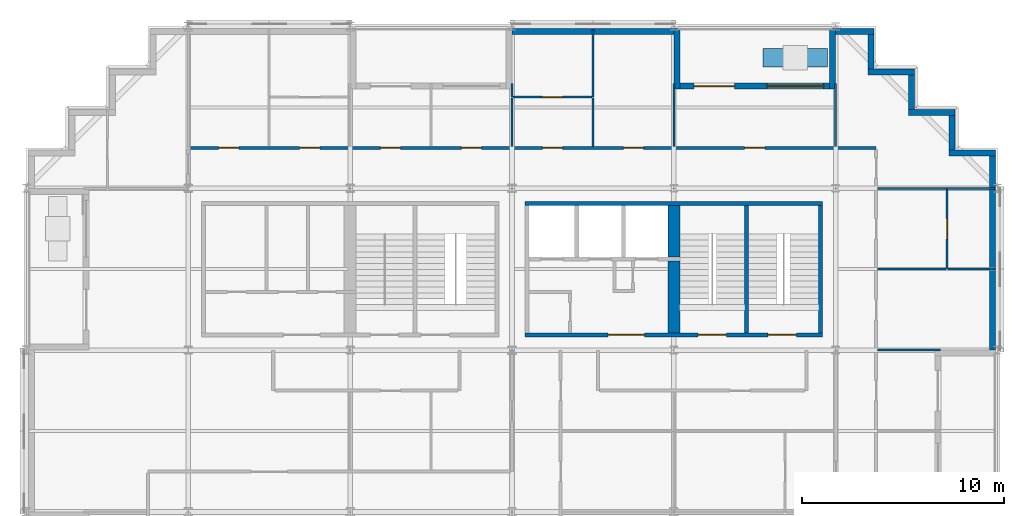
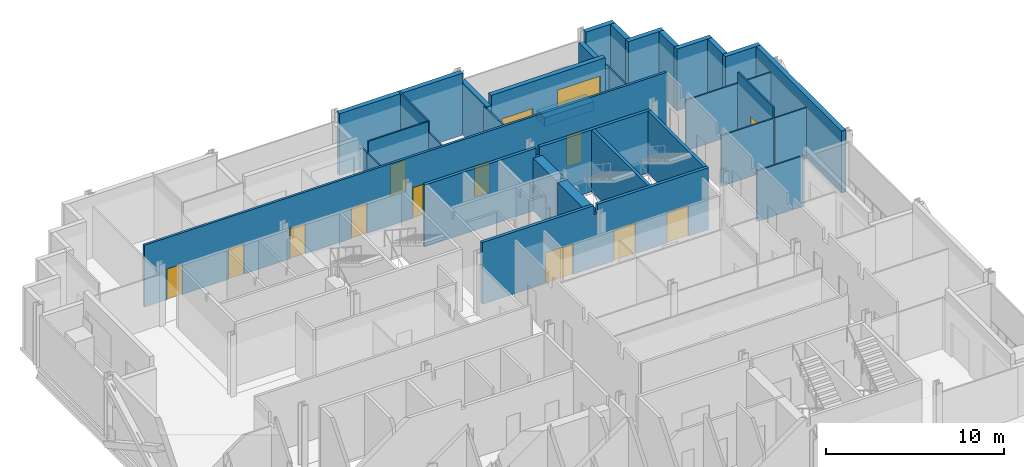
# One storey, part 11 of 15: 33 walls, 13 doors, 1 window, 14 openings.
"""IFC4 building model written with IfcOpenShell, lengths in metres."""

import ifcopenshell
import ifcopenshell.guid

model = None  # the IFC model being written
_history = None  # IfcOwnerHistory: only IFC2X3 demands one
_inside = {}  # id of a spatial element -> (the spatial element, [elements in it])
_under = {}  # id of a project, library or spatial element -> (it, [spatial elements below it])
_declared = {}  # id of a project -> (the project, [libraries it declares])
_typed = {}  # id of a type object -> (the type object, [elements of that type])
_made_of = {}  # id of a material, layer set ... -> (it, [elements and type objects made of it])


def new_model(schema):
    """Start an empty IFC model of exactly this schema.

    Asked for "IFC4X3", IfcOpenShell would pick the latest addendum, in which some entities
    have other attributes; the version numbers below select the first issue.
    IFC2X3 requires an IfcOwnerHistory on every rooted entity: one is made here for all.
    """
    global model, _history
    if schema == "IFC4X3":
        model = ifcopenshell.file(schema_version=(4, 3, 0, 0))
    else:
        model = ifcopenshell.file(schema=schema)
    _inside.clear()
    _under.clear()
    _declared.clear()
    _typed.clear()
    _made_of.clear()
    _history = None
    if model.schema == "IFC2X3":
        org = make("IfcOrganization", Name="unknown")
        user = make(
            "IfcPersonAndOrganization",
            ThePerson=make("IfcPerson", FamilyName="unknown"),
            TheOrganization=org,
        )
        app = make(
            "IfcApplication",
            ApplicationDeveloper=org,
            Version="unknown",
            ApplicationFullName="unknown",
            ApplicationIdentifier="unknown",
        )
        _history = make(
            "IfcOwnerHistory",
            OwningUser=user,
            OwningApplication=app,
            ChangeAction="ADDED",
            CreationDate=0,
        )
    return model


def make(cls, **values):
    """One entity of the class cls with the attributes given. An attribute that is None is left unset."""
    return model.create_entity(
        cls, **{name: value for name, value in values.items() if value is not None}
    )


def rooted(cls, **values):
    """An entity with a GlobalId (a new one), such as an element, a storey or a relation."""
    return make(cls, GlobalId=ifcopenshell.guid.new(), OwnerHistory=_history, **values)


def si_unit(unit_type, name, prefix=None):
    """IfcSIUnit, for example si_unit("LENGTHUNIT", "METRE", prefix="MILLI")."""
    return make("IfcSIUnit", UnitType=unit_type, Prefix=prefix, Name=name)


def assignment(units):
    """IfcUnitAssignment: the units of a project."""
    return None if units is None else make("IfcUnitAssignment", Units=units)


def point(xyz):
    """IfcCartesianPoint."""
    return None if xyz is None else make("IfcCartesianPoint", Coordinates=xyz)


def direction(xyz):
    """IfcDirection."""
    return None if xyz is None else make("IfcDirection", DirectionRatios=xyz)


def frame(location, z_axis=None, x_axis=None):
    """IfcAxis2Placement3D, a coordinate frame: its origin and axes. An axis left out is left unset."""
    return make(
        "IfcAxis2Placement3D",
        Location=point(location),
        Axis=direction(z_axis),
        RefDirection=direction(x_axis),
    )


def frame_2d(location, x_axis=None):
    """IfcAxis2Placement2D, a coordinate frame in the plane: its origin and x axis."""
    return make(
        "IfcAxis2Placement2D", Location=point(location), RefDirection=direction(x_axis)
    )


def origin():
    """The frame at (0, 0, 0) with its axes left unset."""
    return frame((0.0, 0.0, 0.0))


def place(relative_to, where):
    """IfcLocalPlacement: puts the frame where relative to a parent placement (None: the world)."""
    return make(
        "IfcLocalPlacement", PlacementRelTo=relative_to, RelativePlacement=where
    )


def context(
    kind, dimensions, precision=None, world=None, true_north=None, identifier=None
):
    """IfcGeometricRepresentationContext, for example the 3D "Model" context."""
    return make(
        "IfcGeometricRepresentationContext",
        ContextIdentifier=identifier,
        ContextType=kind,
        CoordinateSpaceDimension=dimensions,
        Precision=precision,
        WorldCoordinateSystem=world,
        TrueNorth=true_north,
    )


def subcontext(parent, identifier, kind, view, scale=None):
    """IfcGeometricRepresentationSubContext, for example "Body" below "Model"."""
    return make(
        "IfcGeometricRepresentationSubContext",
        ContextIdentifier=identifier,
        ContextType=kind,
        ParentContext=parent,
        TargetScale=scale,
        TargetView=view,
    )


def project(units=None, contexts=None):
    """IfcProject with its units and contexts."""
    return rooted(
        "IfcProject",
        Name="project",
        RepresentationContexts=contexts,
        UnitsInContext=assignment(units),
    )


def spatial(cls, under=None, at=None, **own):
    """A site, building, storey or space (cls), placed at a placement, below another one or the project."""
    s = rooted(cls, ObjectPlacement=at, **own)
    if under is not None:
        _under.setdefault(under.id(), (under, []))[1].append(s)
    return s


def polyline(points):
    """IfcPolyline through the points."""
    return make("IfcPolyline", Points=[point(p) for p in points])


def profile(cls, at=None, kind="AREA", **sizes):
    """A parametric profile (cls). Its sizes go by their IFC names, for example OverallWidth=200.0."""
    return make(cls, ProfileType=kind, Position=at, **sizes)


def rectangle(**sizes):
    """IfcRectangleProfileDef."""
    return profile("IfcRectangleProfileDef", **sizes)


def outline(outer, holes=None, kind="AREA"):
    """IfcArbitraryClosedProfileDef: a profile drawn as a closed curve; with holes, ...WithVoids."""
    if holes is None:
        return make("IfcArbitraryClosedProfileDef", ProfileType=kind, OuterCurve=outer)
    return make(
        "IfcArbitraryProfileDefWithVoids",
        ProfileType=kind,
        OuterCurve=outer,
        InnerCurves=holes,
    )


def extrude(swept, where, along, depth):
    """IfcExtrudedAreaSolid: the profile swept, set in the frame where, extruded along a direction by depth."""
    return make(
        "IfcExtrudedAreaSolid",
        SweptArea=swept,
        Position=where,
        ExtrudedDirection=direction(along),
        Depth=depth,
    )


def shape(context_of_items, identifier, shape_type, items):
    """IfcShapeRepresentation: the items that make up one representation, for example the "Body"."""
    return make(
        "IfcShapeRepresentation",
        ContextOfItems=context_of_items,
        RepresentationIdentifier=identifier,
        RepresentationType=shape_type,
        Items=items,
    )


def material(Name=None, Category=None):
    """IfcMaterial."""
    return make("IfcMaterial", Name=Name, Category=Category)


def layer(
    of_material, thickness, ventilated=None, Name=None, Category=None, Priority=None
):
    """IfcMaterialLayer: one layer of a wall or slab, of a material (None: an air gap)."""
    return make(
        "IfcMaterialLayer",
        Material=of_material,
        LayerThickness=thickness,
        IsVentilated=ventilated,
        Name=Name,
        Category=Category,
        Priority=Priority,
    )


def layer_set(layers, Name=None):
    """IfcMaterialLayerSet."""
    return make("IfcMaterialLayerSet", MaterialLayers=layers, LayerSetName=Name)


def made_of(thing, what):
    """Note that an element or type object is made of a material, layer set ...; save() writes the relation."""
    if what is not None:
        _made_of.setdefault(what.id(), (what, []))[1].append(thing)
    return thing


def type_object(cls, material=None, **own):
    """A type object (cls), such as IfcWallType, which elements share."""
    return made_of(rooted(cls, **own), material)


def element(
    cls,
    number,
    at=None,
    inside=None,
    cuts=None,
    type_object=None,
    material=None,
    context=None,
    identifier="Body",
    shape_type=None,
    held_by="IfcProductDefinitionShape",
    body=None,
    shapes=None,
    **own,
):
    """One element of the class cls, such as IfcWall. Its Tag is "e" and its number.

    at: its placement. inside: the storey or other place that contains it. cuts: it is an
    opening in that element (IfcRelVoidsElement). A single representation is given by context,
    identifier, shape_type and body (its items); several are given by shapes. held_by: the class
    of the entity that holds the representations. save() writes the other relations.
    """
    e = rooted(cls, Tag="e%d" % number, ObjectPlacement=at, **own)
    if body is not None:
        shapes = [shape(context, identifier, shape_type, body)]
    if shapes is not None:
        e.Representation = make(held_by, Representations=shapes)
    if inside is not None:
        _inside.setdefault(inside.id(), (inside, []))[1].append(e)
    if cuts is not None:
        rooted(
            "IfcRelVoidsElement", RelatingBuildingElement=cuts, RelatedOpeningElement=e
        )
    if type_object is not None:
        _typed.setdefault(type_object.id(), (type_object, []))[1].append(e)
    return made_of(e, material)


def fill(opening, filler):
    """IfcRelFillsElement: the door or window that sits in an opening."""
    return rooted(
        "IfcRelFillsElement",
        RelatingOpeningElement=opening,
        RelatedBuildingElement=filler,
    )


def aggregate(whole, parts):
    """IfcRelAggregates: a whole, such as a stair, and the parts it consists of."""
    return rooted("IfcRelAggregates", RelatingObject=whole, RelatedObjects=parts)


def save(model, path):
    """Write the relations noted so far, then the file.

    IfcRelAggregates (storeys below a building ...), IfcRelContainedInSpatialStructure (elements
    in a storey), IfcRelDefinesByType, IfcRelAssociatesMaterial and IfcRelDeclares: one each for
    every whole, place, type object, material and project.
    """
    for whole, parts in _under.values():
        aggregate(whole, parts)
    for where, things in _inside.values():
        rooted(
            "IfcRelContainedInSpatialStructure",
            RelatedElements=things,
            RelatingStructure=where,
        )
    for kind, things in _typed.values():
        rooted("IfcRelDefinesByType", RelatedObjects=things, RelatingType=kind)
    for what, things in _made_of.values():
        rooted("IfcRelAssociatesMaterial", RelatedObjects=things, RelatingMaterial=what)
    for by, libraries in _declared.values():
        rooted("IfcRelDeclares", RelatingContext=by, RelatedDefinitions=libraries)
    model.write(path)


model = new_model("IFC4")

# Units and contexts
model_context = context("Model", 3, precision=1e-05, world=origin(), true_north=direction((0.0, 1.0)))
body_context = subcontext(model_context, "Body", "Model", "MODEL_VIEW")
ifc_project = project(units=[si_unit("LENGTHUNIT", "METRE"), si_unit("AREAUNIT", "SQUARE_METRE"), si_unit("VOLUMEUNIT", "CUBIC_METRE"), si_unit("PLANEANGLEUNIT", "RADIAN"), si_unit("MASSUNIT", "GRAM", prefix="KILO")], contexts=[model_context])

# Site, building, storey
site_placement = place(None, origin())
site = spatial("IfcSite", under=ifc_project, at=site_placement, CompositionType="ELEMENT")
building_placement = place(site_placement, origin())
building = spatial("IfcBuilding", under=site, at=building_placement, Name="Immortelle Media Tower", CompositionType="ELEMENT")
storey_placement = place(building_placement, frame((0.0, 0.0, 65.60009765625)))
storey = spatial("IfcBuildingStorey", under=building, at=storey_placement, Name="L11", CompositionType="ELEMENT", Elevation=65.60009765625)

# Wall, openings, doors
ifc_material_1 = material(Name="Fire-rated gypsum board", Category="gypsum")
ifc_layer_1 = layer(ifc_material_1, 0.012451171875)
ifc_material_2 = material(Name="Steel ASTM A653 SS Gr 50 stud frame with mineral wool", Category="steel")
ifc_layer_2 = layer(ifc_material_2, 0.125)
ifc_layer_3 = layer(ifc_material_1, 0.012451171875)
ifc_layer_set_1 = layer_set([ifc_layer_1, ifc_layer_2, ifc_layer_3], Name="Steel ASTM A653 SS Gr 50 stud frame with mineral wool")
wall_type_1 = type_object("IfcWallType", Name="Corridor wall 150", PredefinedType="PARTITIONING", material=ifc_layer_set_1)
wall_1_placement = place(storey_placement, frame((8.050048828125, 42.0, 0.0), z_axis=(0.0, 0.0, 1.0), x_axis=(1.0, 0.0, 0.0)))
wall_1 = element("IfcWall", 1, at=wall_1_placement, inside=storey, type_object=wall_type_1, Name="Partition L11-055", PredefinedType="PARTITIONING", context=body_context, shape_type="SweptSolid", body=[
    extrude(rectangle(XDim=33.949951171875, YDim=0.14990234375, at=frame_2d((16.97509765625, 0.0))), origin(), (0.0, 0.0, 1.0), 4.25),
])
opening_1_placement = place(wall_1_placement, frame((9.449951171875, 0.0, 0.0)))
opening_1 = element("IfcOpeningElement", 2, at=opening_1_placement, cuts=wall_1, Name="Opening N3-F032", PredefinedType="OPENING", context=body_context, shape_type="SweptSolid", body=[
    extrude(rectangle(XDim=1.0, YDim=2.10009765625, at=frame_2d((0.5, 1.050048828125))), frame((0.0, 0.0849609375, 0.0), z_axis=(0.0, -1.0, 0.0), x_axis=(1.0, 0.0, 0.0)), (0.0, 0.0, 1.0), 0.169921875),
])
opening_2_placement = place(wall_1_placement, frame((13.449951171875, 0.0, 0.0)))
opening_2 = element("IfcOpeningElement", 3, at=opening_2_placement, cuts=wall_1, Name="Opening N3-F033", PredefinedType="OPENING", context=body_context, shape_type="SweptSolid", body=[
    extrude(rectangle(XDim=1.0, YDim=2.10009765625, at=frame_2d((0.5, 1.050048828125))), frame((0.0, 0.0849609375, 0.0), z_axis=(0.0, -1.0, 0.0), x_axis=(1.0, 0.0, 0.0)), (0.0, 0.0, 1.0), 0.169921875),
])
opening_3_placement = place(wall_1_placement, frame((27.449951171875, 0.0, 0.0)))
opening_3 = element("IfcOpeningElement", 4, at=opening_3_placement, cuts=wall_1, Name="Opening N3-F034", PredefinedType="OPENING", context=body_context, shape_type="SweptSolid", body=[
    extrude(rectangle(XDim=1.0, YDim=2.10009765625, at=frame_2d((0.5, 1.050048828125))), frame((0.0, 0.0849609375, 0.0), z_axis=(0.0, -1.0, 0.0), x_axis=(1.0, 0.0, 0.0)), (0.0, 0.0, 1.0), 0.169921875),
])
opening_4_placement = place(wall_1_placement, frame((1.449951171875, 0.0, 0.0)))
opening_4 = element("IfcOpeningElement", 5, at=opening_4_placement, cuts=wall_1, Name="Opening N3-F035", PredefinedType="OPENING", context=body_context, shape_type="SweptSolid", body=[
    extrude(rectangle(XDim=1.0, YDim=2.10009765625, at=frame_2d((0.5, 1.050048828125))), frame((0.0, 0.0849609375, 0.0), z_axis=(0.0, -1.0, 0.0), x_axis=(1.0, 0.0, 0.0)), (0.0, 0.0, 1.0), 0.169921875),
])
opening_5_placement = place(wall_1_placement, frame((5.449951171875, 0.0, 0.0)))
opening_5 = element("IfcOpeningElement", 6, at=opening_5_placement, cuts=wall_1, Name="Opening N3-F036", PredefinedType="OPENING", context=body_context, shape_type="SweptSolid", body=[
    extrude(rectangle(XDim=1.0, YDim=2.10009765625, at=frame_2d((0.5, 1.050048828125))), frame((0.0, 0.0849609375, 0.0), z_axis=(0.0, -1.0, 0.0), x_axis=(1.0, 0.0, 0.0)), (0.0, 0.0, 1.0), 0.169921875),
])
opening_6_placement = place(wall_1_placement, frame((17.449951171875, 0.0, 0.0)))
opening_6 = element("IfcOpeningElement", 7, at=opening_6_placement, cuts=wall_1, Name="Opening N3-F038", PredefinedType="OPENING", context=body_context, shape_type="SweptSolid", body=[
    extrude(rectangle(XDim=1.0, YDim=2.10009765625, at=frame_2d((0.5, 1.050048828125))), frame((0.0, 0.0849609375, 0.0), z_axis=(0.0, -1.0, 0.0), x_axis=(1.0, 0.0, 0.0)), (0.0, 0.0, 1.0), 0.169921875),
])
opening_7_placement = place(wall_1_placement, frame((21.449951171875, 0.0, 0.0)))
opening_7 = element("IfcOpeningElement", 8, at=opening_7_placement, cuts=wall_1, Name="Opening N3-F040", PredefinedType="OPENING", context=body_context, shape_type="SweptSolid", body=[
    extrude(rectangle(XDim=1.0, YDim=2.10009765625, at=frame_2d((0.5, 1.050048828125))), frame((0.0, 0.0849609375, 0.0), z_axis=(0.0, -1.0, 0.0), x_axis=(1.0, 0.0, 0.0)), (0.0, 0.0, 1.0), 0.169921875),
])
ifc_material_3 = material(Name="Timber veneered door leaf, galvanised steel frame ASTM A653", Category="steel")
door_type_1 = type_object("IfcDoorType", Name="Room door 1000 x 2100", OperationType="NOTDEFINED", PredefinedType="DOOR", material=ifc_material_3)
door_1_placement = place(opening_1_placement, origin())
door_1 = element("IfcDoor", 9, at=door_1_placement, inside=storey, type_object=door_type_1, Name="Door N3-F032", OperationType="SINGLE_SWING_RIGHT", OverallHeight=2.10009765625, OverallWidth=1.0, PredefinedType="DOOR", context=body_context, shape_type="SweptSolid", body=[
    extrude(rectangle(XDim=1.0, YDim=2.10009765625, at=frame_2d((0.5, 1.050048828125))), frame((0.0, 0.02490234375, 0.0), z_axis=(0.0, -1.0, 0.0), x_axis=(1.0, 0.0, 0.0)), (0.0, 0.0, 1.0), 0.050048828125),
])
fill(opening_1, door_1)
door_2_placement = place(opening_2_placement, origin())
door_2 = element("IfcDoor", 10, at=door_2_placement, inside=storey, type_object=door_type_1, Name="Door N3-F033", OperationType="SINGLE_SWING_RIGHT", OverallHeight=2.10009765625, OverallWidth=1.0, PredefinedType="DOOR", context=body_context, shape_type="SweptSolid", body=[
    extrude(rectangle(XDim=1.0, YDim=2.10009765625, at=frame_2d((0.5, 1.050048828125))), frame((0.0, 0.02490234375, 0.0), z_axis=(0.0, -1.0, 0.0), x_axis=(1.0, 0.0, 0.0)), (0.0, 0.0, 1.0), 0.050048828125),
])
fill(opening_2, door_2)
door_3_placement = place(opening_3_placement, origin())
door_3 = element("IfcDoor", 11, at=door_3_placement, inside=storey, type_object=door_type_1, Name="Door N3-F034", OperationType="SINGLE_SWING_LEFT", OverallHeight=2.10009765625, OverallWidth=1.0, PredefinedType="DOOR", context=body_context, shape_type="SweptSolid", body=[
    extrude(rectangle(XDim=1.0, YDim=2.10009765625, at=frame_2d((0.5, 1.050048828125))), frame((0.0, 0.02490234375, 0.0), z_axis=(0.0, -1.0, 0.0), x_axis=(1.0, 0.0, 0.0)), (0.0, 0.0, 1.0), 0.050048828125),
])
fill(opening_3, door_3)
door_4_placement = place(opening_4_placement, origin())
door_4 = element("IfcDoor", 12, at=door_4_placement, inside=storey, type_object=door_type_1, Name="Door N3-F035", OperationType="SINGLE_SWING_RIGHT", OverallHeight=2.10009765625, OverallWidth=1.0, PredefinedType="DOOR", context=body_context, shape_type="SweptSolid", body=[
    extrude(rectangle(XDim=1.0, YDim=2.10009765625, at=frame_2d((0.5, 1.050048828125))), frame((0.0, 0.02490234375, 0.0), z_axis=(0.0, -1.0, 0.0), x_axis=(1.0, 0.0, 0.0)), (0.0, 0.0, 1.0), 0.050048828125),
])
fill(opening_4, door_4)
door_5_placement = place(opening_5_placement, origin())
door_5 = element("IfcDoor", 13, at=door_5_placement, inside=storey, type_object=door_type_1, Name="Door N3-F036", OperationType="SINGLE_SWING_RIGHT", OverallHeight=2.10009765625, OverallWidth=1.0, PredefinedType="DOOR", context=body_context, shape_type="SweptSolid", body=[
    extrude(rectangle(XDim=1.0, YDim=2.10009765625, at=frame_2d((0.5, 1.050048828125))), frame((0.0, 0.02490234375, 0.0), z_axis=(0.0, -1.0, 0.0), x_axis=(1.0, 0.0, 0.0)), (0.0, 0.0, 1.0), 0.050048828125),
])
fill(opening_5, door_5)
door_6_placement = place(opening_6_placement, origin())
door_6 = element("IfcDoor", 14, at=door_6_placement, inside=storey, type_object=door_type_1, Name="Door N3-F038", OperationType="SINGLE_SWING_LEFT", OverallHeight=2.10009765625, OverallWidth=1.0, PredefinedType="DOOR", context=body_context, shape_type="SweptSolid", body=[
    extrude(rectangle(XDim=1.0, YDim=2.10009765625, at=frame_2d((0.5, 1.050048828125))), frame((0.0, 0.02490234375, 0.0), z_axis=(0.0, -1.0, 0.0), x_axis=(1.0, 0.0, 0.0)), (0.0, 0.0, 1.0), 0.050048828125),
])
fill(opening_6, door_6)
door_7_placement = place(opening_7_placement, origin())
door_7 = element("IfcDoor", 15, at=door_7_placement, inside=storey, type_object=door_type_1, Name="Door N3-F040", OperationType="SINGLE_SWING_RIGHT", OverallHeight=2.10009765625, OverallWidth=1.0, PredefinedType="DOOR", context=body_context, shape_type="SweptSolid", body=[
    extrude(rectangle(XDim=1.0, YDim=2.10009765625, at=frame_2d((0.5, 1.050048828125))), frame((0.0, 0.02490234375, 0.0), z_axis=(0.0, -1.0, 0.0), x_axis=(1.0, 0.0, 0.0)), (0.0, 0.0, 1.0), 0.050048828125),
])
fill(opening_7, door_7)

# Walls
ifc_material_4 = material(Name="Pale aluminium cladding panel", Category="aluminium")
ifc_layer_4 = layer(ifc_material_4, 0.030029296875)
ifc_layer_5 = layer(ifc_material_2, 0.257568359375)
ifc_material_5 = material(Name="Moisture-resistant gypsum board", Category="gypsum")
ifc_layer_6 = layer(ifc_material_5, 0.012451171875)
ifc_layer_set_2 = layer_set([ifc_layer_4, ifc_layer_5, ifc_layer_6], Name="Steel ASTM A653 SS Gr 50 stud frame with mineral wool")
wall_type_2 = type_object("IfcWallType", Name="Facade wall 300", PredefinedType="SOLIDWALL", material=ifc_layer_set_2)
wall_2_placement = place(storey_placement, frame((47.75, 32.0, 0.0), z_axis=(0.0, 0.0, 1.0), x_axis=(0.0, 1.0, 0.0)))
element("IfcWall", 16, at=wall_2_placement, inside=storey, type_object=wall_type_2, Name="Facade wall L11 E14", PredefinedType="SOLIDWALL", context=body_context, shape_type="SweptSolid", body=[
    extrude(rectangle(XDim=9.60009765625, YDim=0.300048828125, at=frame_2d((4.800048828125, 0.0))), origin(), (0.0, 0.0, 1.0), 4.25),
])
wall_3_placement = place(storey_placement, frame((47.89990234375, 41.75, 0.0), z_axis=(0.0, 0.0, 1.0), x_axis=(-1.0, 0.0, 0.0)))
element("IfcWall", 17, at=wall_3_placement, inside=storey, type_object=wall_type_2, Name="Facade wall L11 N15", PredefinedType="SOLIDWALL", context=body_context, shape_type="SweptSolid", body=[
    extrude(rectangle(XDim=2.2998046875, YDim=0.300048828125, at=frame_2d((1.14990234375, 0.0))), origin(), (0.0, 0.0, 1.0), 4.25),
])
wall_4_placement = place(storey_placement, frame((45.75, 41.89990234375, 0.0), z_axis=(0.0, 0.0, 1.0), x_axis=(0.0, 1.0, 0.0)))
element("IfcWall", 18, at=wall_4_placement, inside=storey, type_object=wall_type_2, Name="Facade wall L11 E16", PredefinedType="SOLIDWALL", context=body_context, shape_type="SweptSolid", body=[
    extrude(rectangle(XDim=1.7001953125, YDim=0.300048828125, at=frame_2d((0.85009765625, 0.0))), origin(), (0.0, 0.0, 1.0), 4.25),
])
wall_5_placement = place(storey_placement, frame((45.89990234375, 43.75, 0.0), z_axis=(0.0, 0.0, 1.0), x_axis=(-1.0, 0.0, 0.0)))
element("IfcWall", 19, at=wall_5_placement, inside=storey, type_object=wall_type_2, Name="Facade wall L11 N17", PredefinedType="SOLIDWALL", context=body_context, shape_type="SweptSolid", body=[
    extrude(rectangle(XDim=2.2998046875, YDim=0.300048828125, at=frame_2d((1.14990234375, 0.0))), origin(), (0.0, 0.0, 1.0), 4.25),
])
wall_6_placement = place(storey_placement, frame((43.75, 43.89990234375, 0.0), z_axis=(0.0, 0.0, 1.0), x_axis=(0.0, 1.0, 0.0)))
element("IfcWall", 20, at=wall_6_placement, inside=storey, type_object=wall_type_2, Name="Facade wall L11 E18", PredefinedType="SOLIDWALL", context=body_context, shape_type="SweptSolid", body=[
    extrude(rectangle(XDim=1.7001953125, YDim=0.300048828125, at=frame_2d((0.85009765625, 0.0))), origin(), (0.0, 0.0, 1.0), 4.25),
])
wall_7_placement = place(storey_placement, frame((43.89990234375, 45.75, 0.0), z_axis=(0.0, 0.0, 1.0), x_axis=(-1.0, 0.0, 0.0)))
element("IfcWall", 21, at=wall_7_placement, inside=storey, type_object=wall_type_2, Name="Facade wall L11 N19", PredefinedType="SOLIDWALL", context=body_context, shape_type="SweptSolid", body=[
    extrude(rectangle(XDim=2.2998046875, YDim=0.300048828125, at=frame_2d((1.14990234375, 0.0))), origin(), (0.0, 0.0, 1.0), 4.25),
])
wall_8_placement = place(storey_placement, frame((41.75, 45.89990234375, 0.0), z_axis=(0.0, 0.0, 1.0), x_axis=(0.0, 1.0, 0.0)))
element("IfcWall", 22, at=wall_8_placement, inside=storey, type_object=wall_type_2, Name="Facade wall L11 E20", PredefinedType="SOLIDWALL", context=body_context, shape_type="SweptSolid", body=[
    extrude(rectangle(XDim=1.7001953125, YDim=0.300048828125, at=frame_2d((0.85009765625, 0.0))), origin(), (0.0, 0.0, 1.0), 4.25),
])
wall_9_placement = place(storey_placement, frame((41.89990234375, 47.75, 0.0), z_axis=(0.0, 0.0, 1.0), x_axis=(-1.0, 0.0, 0.0)))
element("IfcWall", 23, at=wall_9_placement, inside=storey, type_object=wall_type_2, Name="Facade wall L11 N21", PredefinedType="SOLIDWALL", context=body_context, shape_type="SweptSolid", body=[
    extrude(rectangle(XDim=1.89990234375, YDim=0.300048828125, at=frame_2d((0.949951171875, 0.0))), origin(), (0.0, 0.0, 1.0), 4.25),
])

# Wall, openings, door, window
wall_10_placement = place(storey_placement, frame((39.699951171875, 45.050048828125, 0.0), z_axis=(0.0, 0.0, 1.0), x_axis=(-1.0, 0.0, 0.0)))
wall_10 = element("IfcWall", 24, at=wall_10_placement, inside=storey, type_object=wall_type_2, Name="Loggia wall L11 N21", PredefinedType="SOLIDWALL", context=body_context, shape_type="SweptSolid", body=[
    extrude(rectangle(XDim=7.39990234375, YDim=0.300048828125, at=frame_2d((3.699951171875, 0.0))), origin(), (0.0, 0.0, 1.0), 4.25),
])
opening_8_placement = place(wall_10_placement, frame((0.300048828125, 0.0, 0.89990234375)))
opening_8 = element("IfcOpeningElement", 25, at=opening_8_placement, cuts=wall_10, Name="Opening W1", PredefinedType="OPENING", context=body_context, shape_type="SweptSolid", body=[
    extrude(rectangle(XDim=2.800048828125, YDim=2.199951171875, at=frame_2d((1.39990234375, 1.10009765625))), frame((0.0, 0.159912109375, 0.0), z_axis=(0.0, -1.0, 0.0), x_axis=(1.0, 0.0, 0.0)), (0.0, 0.0, 1.0), 0.320068359375),
])
opening_9_placement = place(wall_10_placement, frame((4.699951171875, 0.0, 0.0)))
opening_9 = element("IfcOpeningElement", 26, at=opening_9_placement, cuts=wall_10, Name="Opening N3-E007", PredefinedType="OPENING", context=body_context, shape_type="SweptSolid", body=[
    extrude(rectangle(XDim=2.0, YDim=2.39990234375, at=frame_2d((1.0, 1.199951171875))), frame((0.0, 0.159912109375, 0.0), z_axis=(0.0, -1.0, 0.0), x_axis=(1.0, 0.0, 0.0)), (0.0, 0.0, 1.0), 0.320068359375),
])
ifc_material_6 = material(Name="Aluminium frame, glazed leaves", Category="aluminium")
door_type_2 = type_object("IfcDoorType", Name="Loggia door 2000 x 2400", OperationType="DOUBLE_DOOR_SINGLE_SWING", PredefinedType="DOOR", material=ifc_material_6)
door_8_placement = place(opening_9_placement, origin())
door_8 = element("IfcDoor", 27, at=door_8_placement, inside=storey, type_object=door_type_2, Name="Door N3-E007", OperationType="DOUBLE_DOOR_SINGLE_SWING", OverallHeight=2.39990234375, OverallWidth=2.0, PredefinedType="DOOR", context=body_context, shape_type="SweptSolid", body=[
    extrude(rectangle(XDim=2.0, YDim=2.39990234375, at=frame_2d((1.0, 1.199951171875))), frame((0.0, 0.02490234375, 0.0), z_axis=(0.0, -1.0, 0.0), x_axis=(1.0, 0.0, 0.0)), (0.0, 0.0, 1.0), 0.050048828125),
])
fill(opening_9, door_8)
ifc_material_7 = material(Name="Aluminium frame", Category="aluminium")
window_type = type_object("IfcWindowType", Name="Window 2800 x 2200", PartitioningType="SINGLE_PANEL", PredefinedType="WINDOW", material=ifc_material_7)
window_placement = place(opening_8_placement, origin())
window = element("IfcWindow", 28, at=window_placement, inside=storey, type_object=window_type, Name="Window L11 L11-R21-B0", OverallHeight=2.199951171875, OverallWidth=2.800048828125, PartitioningType="SINGLE_PANEL", PredefinedType="WINDOW", context=body_context, shape_type="SweptSolid", body=[
    extrude(rectangle(XDim=2.800048828125, YDim=2.199951171875, at=frame_2d((1.39990234375, 1.10009765625))), frame((0.0, 0.030029296875, 0.0), z_axis=(0.0, -1.0, 0.0), x_axis=(1.0, 0.0, 0.0)), (0.0, 0.0, 1.0), 0.06005859375),
])
fill(opening_8, window)

# Walls
wall_11_placement = place(storey_placement, frame((39.85009765625, 47.89990234375, 0.0), z_axis=(0.0, 0.0, 1.0), x_axis=(0.0, -1.0, 0.0)))
element("IfcWall", 29, at=wall_11_placement, inside=storey, type_object=wall_type_2, Name="Loggia cheek wall L11 N", PredefinedType="SOLIDWALL", context=body_context, shape_type="SweptSolid", body=[
    extrude(rectangle(XDim=3.0, YDim=0.300048828125, at=frame_2d((1.5, 0.0))), origin(), (0.0, 0.0, 1.0), 3.468994140625),
])
wall_12_placement = place(storey_placement, frame((32.14990234375, 47.89990234375, 0.0), z_axis=(0.0, 0.0, 1.0), x_axis=(0.0, -1.0, 0.0)))
element("IfcWall", 30, at=wall_12_placement, inside=storey, type_object=wall_type_2, Name="Loggia cheek wall L11 N", PredefinedType="SOLIDWALL", context=body_context, shape_type="SweptSolid", body=[
    extrude(rectangle(XDim=3.0, YDim=0.300048828125, at=frame_2d((1.5, 0.0))), origin(), (0.0, 0.0, 1.0), 3.555908203125),
])
wall_13_placement = place(storey_placement, frame((32.0, 47.75, 0.0), z_axis=(0.0, 0.0, 1.0), x_axis=(-1.0, 0.0, 0.0)))
element("IfcWall", 31, at=wall_13_placement, inside=storey, type_object=wall_type_2, Name="Facade wall L11 N21", PredefinedType="SOLIDWALL", context=body_context, shape_type="SweptSolid", body=[
    extrude(rectangle(XDim=8.0, YDim=0.300048828125, at=frame_2d((4.0, 0.0))), origin(), (0.0, 0.0, 1.0), 4.25),
])
ifc_material_8 = material(Name="Gypsum board", Category="gypsum")
ifc_layer_7 = layer(ifc_material_8, 0.012451171875)
ifc_layer_8 = layer(ifc_material_2, 0.074951171875)
ifc_layer_9 = layer(ifc_material_8, 0.012451171875)
ifc_layer_set_3 = layer_set([ifc_layer_7, ifc_layer_8, ifc_layer_9], Name="Steel ASTM A653 SS Gr 50 stud frame with mineral wool")
wall_type_3 = type_object("IfcWallType", Name="Partition 100", PredefinedType="PARTITIONING", material=ifc_layer_set_3)
wall_14_placement = place(storey_placement, frame((42.074951171875, 32.0, 0.0), z_axis=(0.0, 0.0, 1.0), x_axis=(1.0, 0.0, 0.0)))
element("IfcWall", 32, at=wall_14_placement, inside=storey, type_object=wall_type_3, Name="Partition L11-045", PredefinedType="PARTITIONING", context=body_context, shape_type="SweptSolid", body=[
    extrude(rectangle(XDim=3.094970703125, YDim=0.10009765625, at=frame_2d((1.54736328125, 0.0))), origin(), (0.0, 0.0, 1.0), 3.469970703125),
])
wall_15_placement = place(storey_placement, frame((42.074951171875, 36.0, 0.0), z_axis=(0.0, 0.0, 1.0), x_axis=(1.0, 0.0, 0.0)))
element("IfcWall", 33, at=wall_15_placement, inside=storey, type_object=wall_type_3, Name="Partition L11-046", PredefinedType="PARTITIONING", context=body_context, shape_type="SweptSolid", body=[
    extrude(rectangle(XDim=3.375, YDim=0.10009765625, at=frame_2d((1.6875, 0.0))), origin(), (0.0, 0.0, 1.0), 3.469970703125),
])
wall_16_placement = place(storey_placement, frame((45.550048828125, 36.0, 0.0), z_axis=(0.0, 0.0, 1.0), x_axis=(1.0, 0.0, 0.0)))
element("IfcWall", 34, at=wall_16_placement, inside=storey, type_object=wall_type_3, Name="Partition L11-047", PredefinedType="PARTITIONING", context=body_context, shape_type="SweptSolid", body=[
    extrude(rectangle(XDim=2.320068359375, YDim=0.10009765625, at=frame_2d((1.16015625, 0.0))), origin(), (0.0, 0.0, 1.0), 3.469970703125),
])

# Wall, opening, door
wall_17_placement = place(storey_placement, frame((45.5, 36.0, 0.0), z_axis=(0.0, 0.0, 1.0), x_axis=(0.0, 1.0, 0.0)))
wall_17 = element("IfcWall", 35, at=wall_17_placement, inside=storey, type_object=wall_type_3, Name="Partition L11-048", PredefinedType="PARTITIONING", context=body_context, shape_type="SweptSolid", body=[
    extrude(rectangle(XDim=3.949951171875, YDim=0.10009765625, at=frame_2d((1.97509765625, 0.0))), origin(), (0.0, 0.0, 1.0), 4.25),
])
opening_10_placement = place(wall_17_placement, frame((2.5, 0.0, 0.0), z_axis=(0.0, 0.0, 1.0), x_axis=(-1.0, 0.0, 0.0)))
opening_10 = element("IfcOpeningElement", 36, at=opening_10_placement, cuts=wall_17, Name="Opening N3-F028", PredefinedType="OPENING", context=body_context, shape_type="SweptSolid", body=[
    extrude(rectangle(XDim=1.0, YDim=2.10009765625, at=frame_2d((0.5, 1.050048828125))), frame((0.0, 0.06005859375, 0.0), z_axis=(0.0, -1.0, 0.0), x_axis=(1.0, 0.0, 0.0)), (0.0, 0.0, 1.0), 0.1201171875),
])
door_9_placement = place(opening_10_placement, origin())
door_9 = element("IfcDoor", 37, at=door_9_placement, inside=storey, type_object=door_type_1, Name="Door N3-F028", OperationType="SINGLE_SWING_LEFT", OverallHeight=2.10009765625, OverallWidth=1.0, PredefinedType="DOOR", context=body_context, shape_type="SweptSolid", body=[
    extrude(rectangle(XDim=1.0, YDim=2.10009765625, at=frame_2d((0.5, 1.050048828125))), frame((0.0, 0.02490234375, 0.0), z_axis=(0.0, -1.0, 0.0), x_axis=(1.0, 0.0, 0.0)), (0.0, 0.0, 1.0), 0.050048828125),
])
fill(opening_10, door_9)

# Walls
wall_18_placement = place(storey_placement, frame((42.074951171875, 40.0, 0.0), z_axis=(0.0, 0.0, 1.0), x_axis=(1.0, 0.0, 0.0)))
element("IfcWall", 38, at=wall_18_placement, inside=storey, type_object=wall_type_3, Name="Partition L11-052", PredefinedType="PARTITIONING", context=body_context, shape_type="SweptSolid", body=[
    extrude(rectangle(XDim=3.425048828125, YDim=0.10009765625, at=frame_2d((1.71240234375, 0.0))), origin(), (0.0, 0.0, 1.0), 3.469970703125),
])
wall_19_placement = place(storey_placement, frame((45.5, 40.0, 0.0), z_axis=(0.0, 0.0, 1.0), x_axis=(1.0, 0.0, 0.0)))
element("IfcWall", 39, at=wall_19_placement, inside=storey, type_object=wall_type_3, Name="Partition L11-053", PredefinedType="PARTITIONING", context=body_context, shape_type="SweptSolid", body=[
    extrude(rectangle(XDim=2.3701171875, YDim=0.10009765625, at=frame_2d((1.18505859375, 0.0))), origin(), (0.0, 0.0, 1.0), 3.469970703125),
])
for number, where, z_axis, x_axis, name in (
    (40, (24.0, 42.074951171875, 0.0), (0.0, 0.0, 1.0), (0.0, 1.0, 0.0), "Partition L11-060"),
    (41, (28.0, 42.074951171875, 0.0), (0.0, 0.0, 1.0), (0.0, 1.0, 0.0), "Partition L11-061"),
):
    element("IfcWall", number, at=place(storey_placement, frame(where, z_axis=z_axis, x_axis=x_axis)), inside=storey, type_object=wall_type_3, Name=name, PredefinedType="PARTITIONING", context=body_context, shape_type="SweptSolid", body=[
        extrude(rectangle(XDim=2.375, YDim=0.10009765625, at=frame_2d((1.1875, 0.0))), origin(), (0.0, 0.0, 1.0), 3.469970703125),
    ])
for number, where, z_axis, x_axis, name in (
    (42, (32.0, 42.074951171875, 0.0), (0.0, 0.0, 1.0), (0.0, 1.0, 0.0), "Partition L11-062"),
    (43, (40.0, 42.074951171875, 0.0), (0.0, 0.0, 1.0), (0.0, 1.0, 0.0), "Partition L11-063"),
):
    element("IfcWall", number, at=place(storey_placement, frame(where, z_axis=z_axis, x_axis=x_axis)), inside=storey, type_object=wall_type_3, Name=name, PredefinedType="PARTITIONING", context=body_context, shape_type="SweptSolid", body=[
        extrude(rectangle(XDim=3.094970703125, YDim=0.10009765625, at=frame_2d((1.54736328125, 0.0))), origin(), (0.0, 0.0, 1.0), 3.469970703125),
    ])

# Wall, opening, door
wall_20_placement = place(storey_placement, frame((24.050048828125, 44.5, 0.0), z_axis=(0.0, 0.0, 1.0), x_axis=(1.0, 0.0, 0.0)))
wall_20 = element("IfcWall", 44, at=wall_20_placement, inside=storey, type_object=wall_type_3, Name="Partition L11-067", PredefinedType="PARTITIONING", context=body_context, shape_type="SweptSolid", body=[
    extrude(rectangle(XDim=3.89990234375, YDim=0.10009765625, at=frame_2d((1.949951171875, 0.0))), origin(), (0.0, 0.0, 1.0), 4.25),
])
opening_11_placement = place(wall_20_placement, frame((2.449951171875, 0.0, 0.0), z_axis=(0.0, 0.0, 1.0), x_axis=(-1.0, 0.0, 0.0)))
opening_11 = element("IfcOpeningElement", 45, at=opening_11_placement, cuts=wall_20, Name="Opening N3-F039", PredefinedType="OPENING", context=body_context, shape_type="SweptSolid", body=[
    extrude(rectangle(XDim=1.0, YDim=2.10009765625, at=frame_2d((0.5, 1.050048828125))), frame((0.0, 0.06005859375, 0.0), z_axis=(0.0, -1.0, 0.0), x_axis=(1.0, 0.0, 0.0)), (0.0, 0.0, 1.0), 0.1201171875),
])
door_10_placement = place(opening_11_placement, origin())
door_10 = element("IfcDoor", 46, at=door_10_placement, inside=storey, type_object=door_type_1, Name="Door N3-F039", OperationType="SINGLE_SWING_RIGHT", OverallHeight=2.10009765625, OverallWidth=1.0, PredefinedType="DOOR", context=body_context, shape_type="SweptSolid", body=[
    extrude(rectangle(XDim=1.0, YDim=2.10009765625, at=frame_2d((0.5, 1.050048828125))), frame((0.0, 0.02490234375, 0.0), z_axis=(0.0, -1.0, 0.0), x_axis=(1.0, 0.0, 0.0)), (0.0, 0.0, 1.0), 0.050048828125),
])
fill(opening_11, door_10)

# Walls
wall_21_placement = place(storey_placement, frame((24.0, 44.5, 0.0), z_axis=(0.0, 0.0, 1.0), x_axis=(0.0, 1.0, 0.0)))
element("IfcWall", 47, at=wall_21_placement, inside=storey, type_object=wall_type_3, Name="Partition L11-068", PredefinedType="PARTITIONING", context=body_context, shape_type="SweptSolid", body=[
    extrude(rectangle(XDim=0.669921875, YDim=0.10009765625, at=frame_2d((0.3349609375, 0.0))), origin(), (0.0, 0.0, 1.0), 3.469970703125),
])
wall_22_placement = place(storey_placement, frame((28.0, 44.5, 0.0), z_axis=(0.0, 0.0, 1.0), x_axis=(0.0, 1.0, 0.0)))
element("IfcWall", 48, at=wall_22_placement, inside=storey, type_object=wall_type_3, Name="Partition L11-069", PredefinedType="PARTITIONING", context=body_context, shape_type="SweptSolid", body=[
    extrude(rectangle(XDim=3.3701171875, YDim=0.10009765625, at=frame_2d((1.68505859375, 0.0))), origin(), (0.0, 0.0, 1.0), 4.25),
])
ifc_layer_10 = layer(ifc_material_4, 0.0029296875)
ifc_material_9 = material(Name="Steel ASTM A572 Gr 50 planter shell", Category="steel")
ifc_layer_11 = layer(ifc_material_9, 0.011962890625)
ifc_material_10 = material(Name="Planting substrate", Category="soil")
ifc_layer_12 = layer(ifc_material_10, 0.873046875)
ifc_layer_13 = layer(ifc_material_9, 0.011962890625)
ifc_layer_set_4 = layer_set([ifc_layer_10, ifc_layer_11, ifc_layer_12, ifc_layer_13], Name="Steel ASTM A572 Gr 50 planter shell")
wall_type_4 = type_object("IfcWallType", Name="Planter wall 900", PredefinedType="SOLIDWALL", material=ifc_layer_set_4)
wall_23_placement = place(storey_placement, frame((39.60009765625, 46.449951171875, 0.0), z_axis=(0.0, 0.0, 1.0), x_axis=(-1.0, 0.0, 0.0)))
element("IfcWall", 49, at=wall_23_placement, inside=storey, type_object=wall_type_4, Name="Planter L11 N0", PredefinedType="SOLIDWALL", context=body_context, shape_type="SweptSolid", body=[
    extrude(rectangle(XDim=3.2001953125, YDim=0.89990234375, at=frame_2d((1.60009765625, 0.0))), origin(), (0.0, 0.0, 1.0), 0.599853515625),
])

# Wall, openings, doors
ifc_material_11 = material(Name="Concrete C60", Category="concrete")
ifc_layer_14 = layer(ifc_material_11, 0.199951171875)
ifc_layer_set_5 = layer_set([ifc_layer_14], Name="Concrete C60")
wall_type_5 = type_object("IfcWallType", Name="Stair shaft wall 200", PredefinedType="PARTITIONING", material=ifc_layer_set_5)
wall_24_placement = place(storey_placement, frame((24.64990234375, 32.75, 0.0), z_axis=(0.0, 0.0, 1.0), x_axis=(1.0, 0.0, 0.0)))
wall_24 = element("IfcWall", 50, at=wall_24_placement, inside=storey, type_object=wall_type_5, Name="Stair shaft wall NE", PredefinedType="PARTITIONING", context=body_context, shape_type="SweptSolid", body=[
    extrude(outline(polyline([(0.0, 0.0), (14.7001953125, 0.0), (14.699951171875, 4.25), (7.469482421875, 4.25), (7.468505859375, 3.6318359375), (7.2314453125, 3.6318359375), (7.23046875, 4.25), (0.0, 4.25), (0.0, 0.0)])), frame((0.0, 0.10009765625, 0.0), z_axis=(0.0, -1.0, 0.0), x_axis=(1.0, 0.0, 0.0)), (0.0, 0.0, 1.0), 0.199951171875),
])
opening_12_placement = place(wall_24_placement, frame((4.10009765625, 0.0, 0.0)))
opening_12 = element("IfcOpeningElement", 51, at=opening_12_placement, cuts=wall_24, Name="Opening N3-K032", PredefinedType="OPENING", context=body_context, shape_type="SweptSolid", body=[
    extrude(rectangle(XDim=1.800048828125, YDim=2.10009765625, at=frame_2d((0.89990234375, 1.050048828125))), frame((0.0, 0.10986328125, 0.0), z_axis=(0.0, -1.0, 0.0), x_axis=(1.0, 0.0, 0.0)), (0.0, 0.0, 1.0), 0.219970703125),
])
opening_13_placement = place(wall_24_placement, frame((8.550048828125, 0.0, 0.0)))
opening_13 = element("IfcOpeningElement", 52, at=opening_13_placement, cuts=wall_24, Name="Opening N3-K034", PredefinedType="OPENING", context=body_context, shape_type="SweptSolid", body=[
    extrude(rectangle(XDim=1.39990234375, YDim=2.10009765625, at=frame_2d((0.699951171875, 1.050048828125))), frame((0.0, 0.10986328125, 0.0), z_axis=(0.0, -1.0, 0.0), x_axis=(1.0, 0.0, 0.0)), (0.0, 0.0, 1.0), 0.219970703125),
])
opening_14_placement = place(wall_24_placement, frame((12.0, 0.0, 0.0)))
opening_14 = element("IfcOpeningElement", 53, at=opening_14_placement, cuts=wall_24, Name="Opening N3-K035", PredefinedType="OPENING", context=body_context, shape_type="SweptSolid", body=[
    extrude(rectangle(XDim=1.39990234375, YDim=2.10009765625, at=frame_2d((0.699951171875, 1.050048828125))), frame((0.0, 0.10986328125, 0.0), z_axis=(0.0, -1.0, 0.0), x_axis=(1.0, 0.0, 0.0)), (0.0, 0.0, 1.0), 0.219970703125),
])
ifc_material_12 = material(Name="Galvanised steel door leaf and frame ASTM A653", Category="steel")
door_type_3 = type_object("IfcDoorType", Name="Lift lobby door 1800 x 2100", OperationType="DOUBLE_DOOR_SINGLE_SWING", PredefinedType="NOTDEFINED", material=ifc_material_12)
door_11_placement = place(opening_12_placement, origin())
door_11 = element("IfcDoor", 54, at=door_11_placement, inside=storey, type_object=door_type_3, Name="Lift lobby N3-K032", OperationType="DOUBLE_DOOR_SINGLE_SWING", OverallHeight=2.10009765625, OverallWidth=1.800048828125, PredefinedType="NOTDEFINED", context=body_context, shape_type="SweptSolid", body=[
    extrude(rectangle(XDim=1.800048828125, YDim=2.10009765625, at=frame_2d((0.89990234375, 1.050048828125))), frame((0.0, 0.02490234375, 0.0), z_axis=(0.0, -1.0, 0.0), x_axis=(1.0, 0.0, 0.0)), (0.0, 0.0, 1.0), 0.050048828125),
])
fill(opening_12, door_11)
door_type_4 = type_object("IfcDoorType", Name="Stair door 1400 x 2100", OperationType="DOUBLE_DOOR_SINGLE_SWING", PredefinedType="NOTDEFINED", material=ifc_material_12)
door_12_placement = place(opening_13_placement, origin())
door_12 = element("IfcDoor", 55, at=door_12_placement, inside=storey, type_object=door_type_4, Name="Stair N3-K034", OperationType="DOUBLE_DOOR_SINGLE_SWING", OverallHeight=2.10009765625, OverallWidth=1.39990234375, PredefinedType="NOTDEFINED", context=body_context, shape_type="SweptSolid", body=[
    extrude(rectangle(XDim=1.39990234375, YDim=2.10009765625, at=frame_2d((0.699951171875, 1.050048828125))), frame((0.0, 0.02490234375, 0.0), z_axis=(0.0, -1.0, 0.0), x_axis=(1.0, 0.0, 0.0)), (0.0, 0.0, 1.0), 0.050048828125),
])
fill(opening_13, door_12)
door_13_placement = place(opening_14_placement, origin())
door_13 = element("IfcDoor", 56, at=door_13_placement, inside=storey, type_object=door_type_4, Name="Stair N3-K035", OperationType="DOUBLE_DOOR_SINGLE_SWING", OverallHeight=2.10009765625, OverallWidth=1.39990234375, PredefinedType="NOTDEFINED", context=body_context, shape_type="SweptSolid", body=[
    extrude(rectangle(XDim=1.39990234375, YDim=2.10009765625, at=frame_2d((0.699951171875, 1.050048828125))), frame((0.0, 0.02490234375, 0.0), z_axis=(0.0, -1.0, 0.0), x_axis=(1.0, 0.0, 0.0)), (0.0, 0.0, 1.0), 0.050048828125),
])
fill(opening_14, door_13)

# Walls
wall_25_placement = place(storey_placement, frame((24.64990234375, 39.25, 0.0), z_axis=(0.0, 0.0, 1.0), x_axis=(1.0, 0.0, 0.0)))
element("IfcWall", 57, at=wall_25_placement, inside=storey, type_object=wall_type_5, Name="Stair shaft wall NE", PredefinedType="PARTITIONING", context=body_context, shape_type="SweptSolid", body=[
    extrude(outline(polyline([(0.0, 0.0), (14.7001953125, 0.0), (14.699951171875, 4.25), (7.469482421875, 4.25), (7.468505859375, 3.6318359375), (7.2314453125, 3.6318359375), (7.23046875, 4.25), (0.0, 4.25), (0.0, 0.0)])), frame((0.0, 0.10009765625, 0.0), z_axis=(0.0, -1.0, 0.0), x_axis=(1.0, 0.0, 0.0)), (0.0, 0.0, 1.0), 0.199951171875),
])
for number, where, z_axis, x_axis, name in (
    (58, (35.60009765625, 32.85009765625, 0.0), (0.0, 0.0, 1.0), (0.0, 1.0, 0.0), "Stair shaft wall NE"),
    (59, (39.25, 32.85009765625, 0.0), (0.0, 0.0, 1.0), (0.0, 1.0, 0.0), "Stair shaft wall NE"),
):
    element("IfcWall", number, at=place(storey_placement, frame(where, z_axis=z_axis, x_axis=x_axis)), inside=storey, type_object=wall_type_5, Name=name, PredefinedType="PARTITIONING", context=body_context, shape_type="SweptSolid", body=[
        extrude(rectangle(XDim=6.2998046875, YDim=0.199951171875, at=frame_2d((3.14990234375, 0.0))), origin(), (0.0, 0.0, 1.0), 4.25),
    ])
ifc_layer_15 = layer(ifc_material_11, 0.60009765625)
ifc_layer_set_6 = layer_set([ifc_layer_15], Name="Concrete C60")
wall_type_6 = type_object("IfcWallType", Name="Stair shaft wall 600", PredefinedType="PARTITIONING", material=ifc_layer_set_6)
wall_26_placement = place(storey_placement, frame((32.0, 32.85009765625, 0.0), z_axis=(0.0, 0.0, 1.0), x_axis=(0.0, 1.0, 0.0)))
element("IfcWall", 60, at=wall_26_placement, inside=storey, type_object=wall_type_6, Name="Stair shaft wall NE", PredefinedType="PARTITIONING", context=body_context, shape_type="SweptSolid", body=[
    extrude(rectangle(XDim=3.5498046875, YDim=0.60009765625, at=frame_2d((1.77490234375, 0.0))), origin(), (0.0, 0.0, 1.0), 3.6318359375),
])
wall_27_placement = place(storey_placement, frame((32.0, 36.60009765625, 0.0), z_axis=(0.0, 0.0, 1.0), x_axis=(0.0, 1.0, 0.0)))
element("IfcWall", 61, at=wall_27_placement, inside=storey, type_object=wall_type_6, Name="Stair shaft wall NE", PredefinedType="PARTITIONING", context=body_context, shape_type="SweptSolid", body=[
    extrude(rectangle(XDim=2.5498046875, YDim=0.60009765625, at=frame_2d((1.27490234375, 0.0))), origin(), (0.0, 0.0, 1.0), 3.6318359375),
])

save(model, "model.ifc")
